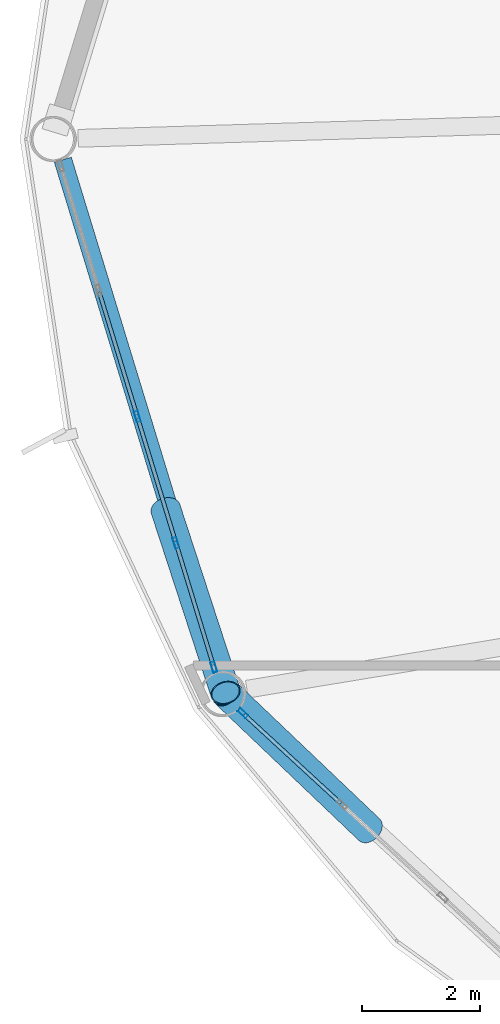
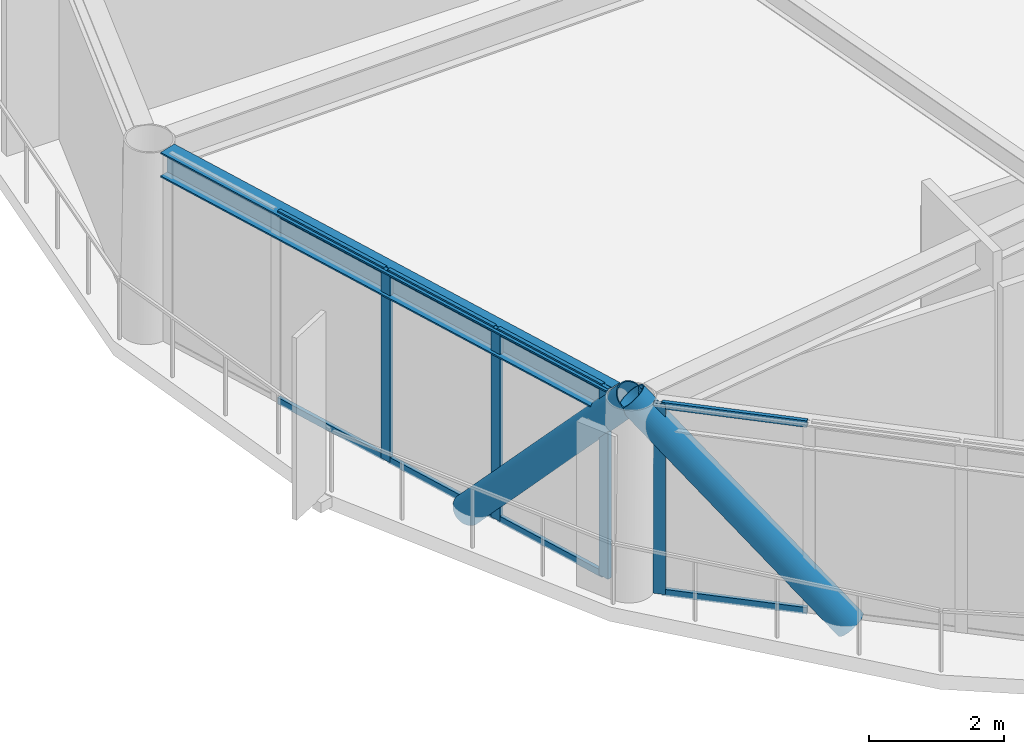
# One storey, part 5 of 26: 14 members, 1 beam, 2 elements without a shape of their own.
"""IFC4 building model written with IfcOpenShell, lengths in metres."""

from ifc_helpers import new_model, si_unit, direction, frame, origin, origin_2d, place, context, subcontext, project, spatial, hollow_rectangle, hollow_circle, i_section, extrude, material, layer, layer_set, material_profile, profile_set, type_object, element, aggregate, save


model = new_model("IFC4")

# Units and contexts
model_context = context("Model", 3, precision=1e-05, world=origin(), true_north=direction((0.0, 1.0)))
body_context = subcontext(model_context, "Body", "Model", "MODEL_VIEW")
ifc_project = project(units=[si_unit("LENGTHUNIT", "METRE"), si_unit("AREAUNIT", "SQUARE_METRE"), si_unit("VOLUMEUNIT", "CUBIC_METRE"), si_unit("PLANEANGLEUNIT", "RADIAN"), si_unit("MASSUNIT", "GRAM", prefix="KILO")], contexts=[model_context])

# Site, building, storey
site_placement = place(None, origin())
site = spatial("IfcSite", under=ifc_project, at=site_placement, CompositionType="ELEMENT")
building_placement = place(site_placement, origin())
building = spatial("IfcBuilding", under=site, at=building_placement, Name="Varnakorn Sky Granary", CompositionType="ELEMENT")
storey_placement = place(building_placement, frame((0.0, 0.0, 165.60009765625)))
storey = spatial("IfcBuildingStorey", under=building, at=storey_placement, Name="L41", CompositionType="ELEMENT", Elevation=165.60009765625)

# Beam
ifc_material_1 = material(Name="Steel S355JR", Category="steel")
ifc_material_profile_1 = material_profile(ifc_material_1, i_section(OverallWidth=0.300048828125, OverallDepth=0.449951171875, WebThickness=0.013916015625, FlangeThickness=0.02587890625, at=origin_2d()), Name="HE 450 B")
ifc_profile_set_1 = profile_set([ifc_material_profile_1], Name="Steel S355JR")
beam_type = type_object("IfcBeamType", Name="BM-SPD-Z3", PredefinedType="SPANDREL", material=ifc_profile_set_1)
beam_placement = place(storey_placement, frame((-21.843017578125, -0.35009765625, 3.224853515625), z_axis=(0.291971837772, -0.956426916156, 0.0), x_axis=(0.956426916156, 0.291971837772, 0.0)))
element("IfcBeam", 1, at=beam_placement, inside=storey, type_object=beam_type, Name="Perimeter Spandrel Ring Beam RB07 L41", PredefinedType="SPANDREL", context=body_context, shape_type="SweptSolid", body=[
    extrude(i_section(OverallWidth=0.300048828125, OverallDepth=0.449951171875, WebThickness=0.013916015625, FlangeThickness=0.02587890625, at=origin_2d()), origin(), (0.0, 0.0, 1.0), 9.051513671875),
])

# Curtain wall, members
ifc_material_2 = material(Name="Anodised Bronze Aluminium Alloy 6063-T6", Category="aluminium")
ifc_layer = layer(ifc_material_2, 0.179931640625, Name="Anodised Bronze Aluminium Alloy 6063-T6")
ifc_layer_set = layer_set([ifc_layer], Name="Anodised Bronze Aluminium Alloy 6063-T6")
curtain_wall_type = type_object("IfcCurtainWallType", Name="CW-FRM-2", PredefinedType="USERDEFINED", material=ifc_layer_set)
curtain_wall_1_placement = place(storey_placement, origin())
curtain_wall_1 = element("IfcCurtainWall", 2, at=curtain_wall_1_placement, inside=storey, type_object=curtain_wall_type, Name="Unitised Curtain Wall CW4 CW-L41-B07", ObjectType="CURTAIN WALL", PredefinedType="USERDEFINED")
ifc_material_profile_2 = material_profile(ifc_material_2, hollow_rectangle(XDim=0.070068359375, YDim=0.18505859375, WallThickness=0.00390625, at=origin_2d()), Name="ALU MULL 70x185")
ifc_profile_set_2 = profile_set([ifc_material_profile_2], Name="Anodised Bronze Aluminium Alloy 6063-T6")
member_type_1 = type_object("IfcMemberType", Name="CW-FRM-2-MULL", PredefinedType="MULLION", material=ifc_profile_set_2)
member_1_placement = place(storey_placement, frame((-19.290283203125, -8.92626953125, 0.0), z_axis=(0.0, 0.0, 1.0), x_axis=(-0.956373568198, -0.292146535238, 0.0)))
member_1 = element("IfcMember", 3, at=member_1_placement, type_object=member_type_1, Name="CW4 mullion 1", PredefinedType="MULLION", context=body_context, shape_type="SweptSolid", body=[
    extrude(hollow_rectangle(XDim=0.070068359375, YDim=0.18505859375, WallThickness=0.00390625, at=origin_2d()), origin(), (0.0, 0.0, 1.0), 3.449951171875),
])
member_2_placement = place(storey_placement, frame((-19.93212890625, -6.8251953125, 0.0), z_axis=(0.0, 0.0, 1.0), x_axis=(-0.956373568198, -0.292146535238, 0.0)))
member_2 = element("IfcMember", 4, at=member_2_placement, type_object=member_type_1, Name="CW4 mullion 2", PredefinedType="MULLION", context=body_context, shape_type="SweptSolid", body=[
    extrude(hollow_rectangle(XDim=0.070068359375, YDim=0.18505859375, WallThickness=0.00390625, at=origin_2d()), origin(), (0.0, 0.0, 1.0), 3.449951171875),
])
member_3_placement = place(storey_placement, frame((-20.584228515625, -4.690673828125, 0.0), z_axis=(0.0, 0.0, 1.0), x_axis=(-0.956373568198, -0.292146535238, 0.0)))
member_3 = element("IfcMember", 5, at=member_3_placement, type_object=member_type_1, Name="CW4 mullion 3", PredefinedType="MULLION", context=body_context, shape_type="SweptSolid", body=[
    extrude(hollow_rectangle(XDim=0.070068359375, YDim=0.18505859375, WallThickness=0.00390625, at=origin_2d()), origin(), (0.0, 0.0, 1.0), 3.449951171875),
])

# Curtain wall, member
curtain_wall_2_placement = place(storey_placement, origin())
curtain_wall_2 = element("IfcCurtainWall", 6, at=curtain_wall_2_placement, inside=storey, type_object=curtain_wall_type, Name="Unitised Curtain Wall CW4 CW-L41-B08", ObjectType="CURTAIN WALL", PredefinedType="USERDEFINED")
member_4_placement = place(storey_placement, frame((-18.801025390625, -9.703857421875, 0.0), z_axis=(0.0, 0.0, 1.0), x_axis=(-0.677284882962, -0.735720862359, 0.0)))
member_4 = element("IfcMember", 7, at=member_4_placement, type_object=member_type_1, Name="CW4 mullion 5", PredefinedType="MULLION", context=body_context, shape_type="SweptSolid", body=[
    extrude(hollow_rectangle(XDim=0.070068359375, YDim=0.18505859375, WallThickness=0.00390625, at=origin_2d()), origin(), (0.0, 0.0, 1.0), 3.449951171875),
])

# Member
ifc_material_profile_3 = material_profile(ifc_material_2, hollow_rectangle(XDim=0.06494140625, YDim=0.1201171875, WallThickness=0.00341796875, at=origin_2d()), Name="ALU TRAN 65x120")
ifc_profile_set_3 = profile_set([ifc_material_profile_3], Name="Anodised Bronze Aluminium Alloy 6063-T6")
member_type_2 = type_object("IfcMemberType", Name="CW-FRM-2-TRAN", PredefinedType="USERDEFINED", material=ifc_profile_set_3)
member_5_placement = place(storey_placement, frame((-19.300537109375, -8.892822265625, 0.032470703125), z_axis=(-0.292125216537, 0.956380080231, 0.0), x_axis=(-0.956380080231, -0.292125216537, 0.0)))
member_5 = element("IfcMember", 8, at=member_5_placement, type_object=member_type_2, Name="CW4 transom 1.1", ObjectType="TRANSOM", PredefinedType="USERDEFINED", context=body_context, shape_type="SweptSolid", body=[
    extrude(hollow_rectangle(XDim=0.06494140625, YDim=0.1201171875, WallThickness=0.00341796875, at=origin_2d()), origin(), (0.0, 0.0, 1.0), 2.126953125),
])

member_6_placement = place(storey_placement, frame((-19.300537109375, -8.892822265625, 3.41748046875), z_axis=(-0.292125216537, 0.956380080231, 0.0), x_axis=(-0.956380080231, -0.292125216537, 0.0)))
member_6 = element("IfcMember", 9, at=member_6_placement, type_object=member_type_2, Name="CW4 transom 1.2", ObjectType="TRANSOM", PredefinedType="USERDEFINED", context=body_context, shape_type="SweptSolid", body=[
    extrude(hollow_rectangle(XDim=0.06494140625, YDim=0.1201171875, WallThickness=0.00341796875, at=origin_2d()), origin(), (0.0, 0.0, 1.0), 2.126953125),
])

member_7_placement = place(storey_placement, frame((-19.9423828125, -6.791748046875, 0.032470703125), z_axis=(-0.292141071945, 0.956375237071, 0.0), x_axis=(-0.956375237071, -0.292141071945, 0.0)))
member_7 = element("IfcMember", 10, at=member_7_placement, type_object=member_type_2, Name="CW4 transom 2.1", ObjectType="TRANSOM", PredefinedType="USERDEFINED", context=body_context, shape_type="SweptSolid", body=[
    extrude(hollow_rectangle(XDim=0.06494140625, YDim=0.1201171875, WallThickness=0.00341796875, at=origin_2d()), origin(), (0.0, 0.0, 1.0), 2.161865234375),
])

member_8_placement = place(storey_placement, frame((-19.9423828125, -6.791748046875, 3.41748046875), z_axis=(-0.292141071945, 0.956375237071, 0.0), x_axis=(-0.956375237071, -0.292141071945, 0.0)))
member_8 = element("IfcMember", 11, at=member_8_placement, type_object=member_type_2, Name="CW4 transom 2.2", ObjectType="TRANSOM", PredefinedType="USERDEFINED", context=body_context, shape_type="SweptSolid", body=[
    extrude(hollow_rectangle(XDim=0.06494140625, YDim=0.1201171875, WallThickness=0.00341796875, at=origin_2d()), origin(), (0.0, 0.0, 1.0), 2.161865234375),
])

member_9_placement = place(storey_placement, frame((-20.594482421875, -4.6572265625, 0.032470703125), z_axis=(-0.292069323593, 0.956397150882, 0.0), x_axis=(-0.956397150882, -0.292069323593, 0.0)))
member_9 = element("IfcMember", 12, at=member_9_placement, type_object=member_type_2, Name="CW4 transom 3.1", ObjectType="TRANSOM", PredefinedType="USERDEFINED", context=body_context, shape_type="SweptSolid", body=[
    extrude(hollow_rectangle(XDim=0.06494140625, YDim=0.1201171875, WallThickness=0.00341796875, at=origin_2d()), origin(), (0.0, 0.0, 1.0), 2.16162109375),
])

member_10_placement = place(storey_placement, frame((-20.594482421875, -4.6572265625, 3.41748046875), z_axis=(-0.292069323593, 0.956397150882, 0.0), x_axis=(-0.956397150882, -0.292069323593, 0.0)))
member_10 = element("IfcMember", 13, at=member_10_placement, type_object=member_type_2, Name="CW4 transom 3.2", ObjectType="TRANSOM", PredefinedType="USERDEFINED", context=body_context, shape_type="SweptSolid", body=[
    extrude(hollow_rectangle(XDim=0.06494140625, YDim=0.1201171875, WallThickness=0.00341796875, at=origin_2d()), origin(), (0.0, 0.0, 1.0), 2.16162109375),
])

aggregate(curtain_wall_1, [member_1, member_2, member_3, member_5, member_6, member_7, member_8, member_9, member_10])

member_11_placement = place(storey_placement, frame((-17.149658203125, -11.22412109375, 0.032470703125), z_axis=(-0.73572618648, 0.677279099432, 0.0), x_axis=(-0.677279099432, -0.73572618648, 0.0)))
member_11 = element("IfcMember", 14, at=member_11_placement, type_object=member_type_2, Name="CW4 transom 4.1", ObjectType="TRANSOM", PredefinedType="USERDEFINED", context=body_context, shape_type="SweptSolid", body=[
    extrude(hollow_rectangle(XDim=0.06494140625, YDim=0.1201171875, WallThickness=0.00341796875, at=origin_2d()), origin(), (0.0, 0.0, 1.0), 2.209716796875),
])

member_12_placement = place(storey_placement, frame((-17.149658203125, -11.22412109375, 3.41748046875), z_axis=(-0.73572618648, 0.677279099432, 0.0), x_axis=(-0.677279099432, -0.73572618648, 0.0)))
member_12 = element("IfcMember", 15, at=member_12_placement, type_object=member_type_2, Name="CW4 transom 4.2", ObjectType="TRANSOM", PredefinedType="USERDEFINED", context=body_context, shape_type="SweptSolid", body=[
    extrude(hollow_rectangle(XDim=0.06494140625, YDim=0.1201171875, WallThickness=0.00341796875, at=origin_2d()), origin(), (0.0, 0.0, 1.0), 2.209716796875),
])

aggregate(curtain_wall_2, [member_4, member_11, member_12])

# Members
ifc_material_3 = material(Name="Steel S460M", Category="steel")
ifc_material_profile_4 = material_profile(ifc_material_3, hollow_circle(Radius=0.25390625, WallThickness=0.01806640625, at=origin_2d()), Name="CHS 508x18")
ifc_profile_set_4 = profile_set([ifc_material_profile_4], Name="Steel S460M")
member_type_3 = type_object("IfcMemberType", Name="MB-DIAG-T2", PredefinedType="BRACE", material=ifc_profile_set_4)
member_13_placement = place(storey_placement, frame((-20.1064453125, -6.25439453125, -0.130126953125), z_axis=(0.209127198069, -0.640483539146, 0.738949694574), x_axis=(0.950609960255, 0.310387988596, 0.0)))
element("IfcMember", 16, at=member_13_placement, inside=storey, type_object=member_type_3, Name="Perimeter CHS Diagrid Brace DG07 L41", PredefinedType="BRACE", context=body_context, shape_type="SweptSolid", body=[
    extrude(hollow_circle(Radius=0.25390625, WallThickness=0.01806640625, at=origin_2d()), origin(), (0.0, 0.0, 1.0), 4.8447265625),
])
member_14_placement = place(storey_placement, frame((-16.66455078125, -11.670654296875, -0.130126953125), z_axis=(-0.49507169156, 0.471532396213, 0.729767921696), x_axis=(-0.689682435607, -0.72411196511, 0.0)))
element("IfcMember", 17, at=member_14_placement, inside=storey, type_object=member_type_3, Name="Perimeter CHS Diagrid Brace DG08 L41", PredefinedType="BRACE", context=body_context, shape_type="SweptSolid", body=[
    extrude(hollow_circle(Radius=0.25390625, WallThickness=0.01806640625, at=origin_2d()), origin(), (0.0, 0.0, 1.0), 4.90576171875),
])

save(model, "model.ifc")
